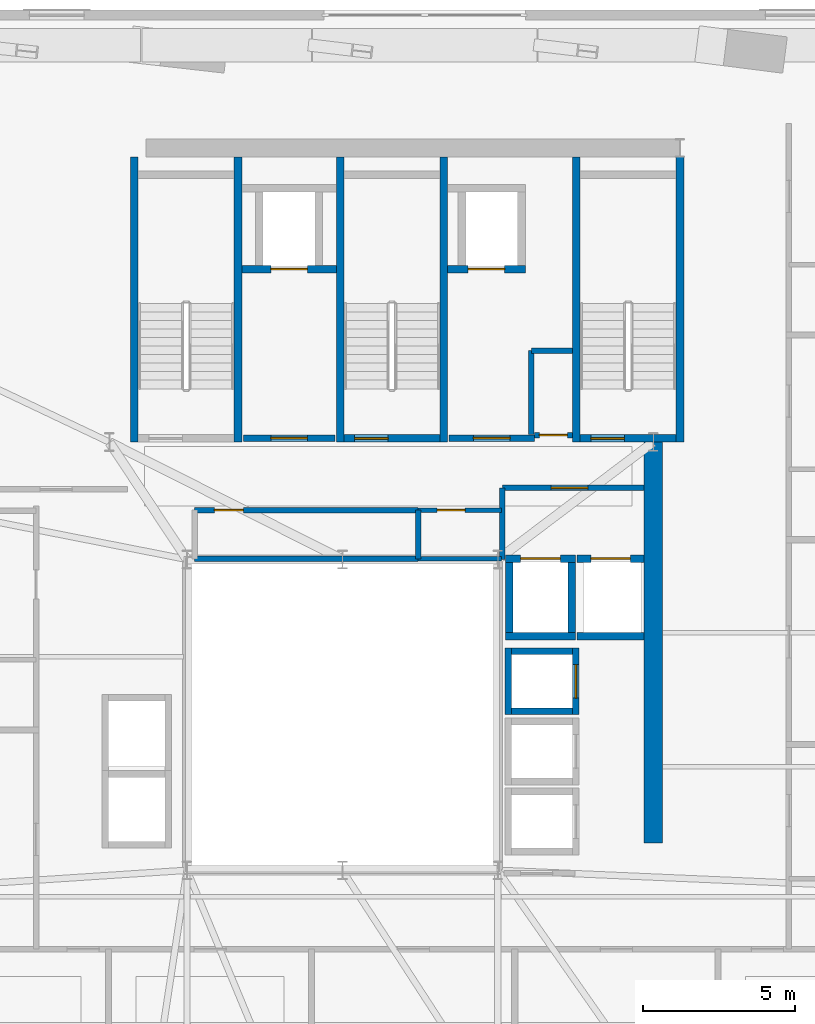
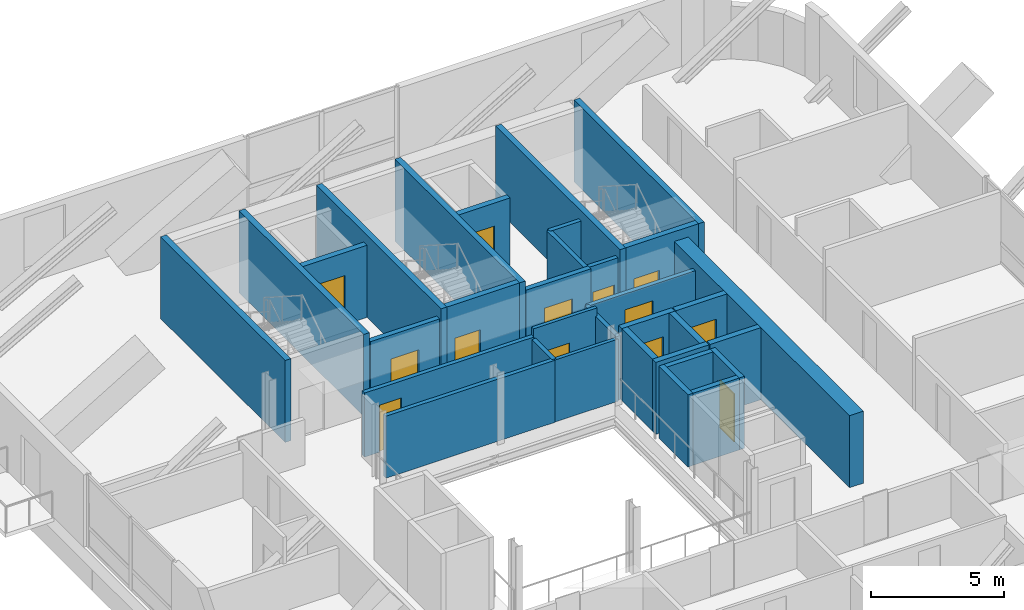
# One storey, part 7 of 12: 33 walls, 13 doors, 13 openings.
"""IFC4 building model written with IfcOpenShell, lengths in metres."""

from ifc_helpers import new_model, si_unit, direction, frame, frame_2d, origin, place, context, subcontext, project, spatial, rectangle, extrude, source, transform, mapped, material, layer, layer_set, type_object, element, fill, save


model = new_model("IFC4")

# Units and contexts
model_context = context("Model", 3, precision=1e-05, world=origin(), true_north=direction((0.0, 1.0)))
body_context = subcontext(model_context, "Body", "Model", "MODEL_VIEW")
ifc_project = project(units=[si_unit("LENGTHUNIT", "METRE"), si_unit("AREAUNIT", "SQUARE_METRE"), si_unit("VOLUMEUNIT", "CUBIC_METRE"), si_unit("PLANEANGLEUNIT", "RADIAN"), si_unit("MASSUNIT", "GRAM", prefix="KILO")], contexts=[model_context])

# Site, building, storey
site_placement = place(None, origin())
site = spatial("IfcSite", under=ifc_project, at=site_placement, CompositionType="ELEMENT")
building_placement = place(site_placement, origin())
building = spatial("IfcBuilding", under=site, at=building_placement, Name="Vardaveli Station Tower", CompositionType="ELEMENT")
storey_placement = place(building_placement, frame((0.0, 0.0, 282.199951171875)))
storey = spatial("IfcBuildingStorey", under=building, at=storey_placement, Name="L72", CompositionType="ELEMENT", Elevation=282.199951171875)

# Walls
ifc_material_1 = material(Name="Concrete C50/60", Category="concrete")
ifc_layer_1 = layer(ifc_material_1, 0.60009765625, Name="Concrete C50/60")
ifc_layer_set_1 = layer_set([ifc_layer_1], Name="Concrete C50/60")
wall_type_1 = type_object("IfcWallType", Name="WAL-CORE-600", PredefinedType="SHEAR", material=ifc_layer_set_1)
shared_shape_1 = source(origin(), body_context, "Body", "SweptSolid", [
    extrude(rectangle(XDim=13.14990234375, YDim=0.60009765625, at=frame_2d((6.574951171875, 0.0))), origin(), (0.0, 0.0, 1.0), 3.300048828125),
])
wall_1_placement = place(storey_placement, frame((46.5, 17.5, 0.0), z_axis=(0.0, 0.0, 1.0), x_axis=(0.0, 1.0, 0.0)))
element("IfcWall", 1, at=wall_1_placement, inside=storey, type_object=wall_type_1, Name="SW-L72-EAST2", PredefinedType="SHEAR", context=body_context, shape_type="MappedRepresentation", body=[
    mapped(shared_shape_1, transform((0.0, 0.0, 0.0), scale=1.0)),
])
ifc_material_2 = material(Name="Concrete C40/50", Category="concrete")
ifc_layer_2 = layer(ifc_material_2, 0.25, Name="Concrete C40/50")
ifc_layer_set_2 = layer_set([ifc_layer_2], Name="Concrete C40/50")
wall_type_2 = type_object("IfcWallType", Name="WAL-SHAFT-250", PredefinedType="SOLIDWALL", material=ifc_layer_set_2)
shared_shape_2 = source(origin(), body_context, "Body", "SweptSolid", [
    extrude(rectangle(XDim=9.35009765625, YDim=0.25, at=frame_2d((4.675048828125, 0.0))), origin(), (0.0, 0.0, 1.0), 3.75),
])
for number, where, z_axis, x_axis, name in (
    (2, (29.47509765625, 30.64990234375, 0.0), (0.0, 0.0, 1.0), (0.0, 1.0, 0.0), "W-L72-ST-1W"),
    (3, (32.875, 30.64990234375, 0.0), (0.0, 0.0, 1.0), (0.0, 1.0, 0.0), "W-L72-ST-1E"),
    (4, (36.22509765625, 30.64990234375, 0.0), (0.0, 0.0, 1.0), (0.0, 1.0, 0.0), "W-L72-ST-2W"),
    (5, (39.625, 30.64990234375, 0.0), (0.0, 0.0, 1.0), (0.0, 1.0, 0.0), "W-L72-ST-2E"),
    (6, (43.97509765625, 30.64990234375, 0.0), (0.0, 0.0, 1.0), (0.0, 1.0, 0.0), "W-L72-ST-3W"),
    (7, (47.375, 30.64990234375, 0.0), (0.0, 0.0, 1.0), (0.0, 1.0, 0.0), "W-L72-ST-3E"),
):
    element("IfcWall", number, at=place(storey_placement, frame(where, z_axis=z_axis, x_axis=x_axis)), inside=storey, type_object=wall_type_2, Name=name, PredefinedType="SOLIDWALL", context=body_context, shape_type="MappedRepresentation", body=[
        mapped(shared_shape_2, transform((0.0, 0.0, 0.0), scale=1.0)),
    ])

# Wall, opening, door
shared_shape_3 = source(origin(), body_context, "Body", "SweptSolid", [
    extrude(rectangle(XDim=3.14990234375, YDim=0.25, at=frame_2d((1.574951171875, 0.0))), origin(), (0.0, 0.0, 1.0), 3.75),
])
wall_2_placement = place(storey_placement, frame((36.35009765625, 30.77490234375, 0.0), z_axis=(0.0, 0.0, 1.0), x_axis=(1.0, 0.0, 0.0)))
wall_2 = element("IfcWall", 8, at=wall_2_placement, inside=storey, type_object=wall_type_2, Name="W-L72-ST-2S", PredefinedType="SOLIDWALL", context=body_context, shape_type="MappedRepresentation", body=[
    mapped(shared_shape_3, transform((0.0, 0.0, 0.0), scale=1.0)),
])
shared_shape_4 = source(origin(), body_context, "Body", "SweptSolid", [
    extrude(rectangle(XDim=1.10009765625, YDim=2.199951171875, at=frame_2d((0.550048828125, 1.10009765625))), frame((0.0, 0.135009765625, 0.0), z_axis=(0.0, -1.0, 0.0), x_axis=(1.0, 0.0, 0.0)), (0.0, 0.0, 1.0), 0.27001953125),
])
opening_1_placement = place(wall_2_placement, frame((0.35009765625, 0.0, 0.0)))
opening_1 = element("IfcOpeningElement", 9, at=opening_1_placement, cuts=wall_2, Name="Opening D-04", PredefinedType="OPENING", context=body_context, shape_type="MappedRepresentation", body=[
    mapped(shared_shape_4, transform((0.0, 0.0, 0.0), scale=1.0)),
])
ifc_material_3 = material(Name="Steel smokeproof fire doorset", Category="steel")
door_type_1 = type_object("IfcDoorType", Name="DR-ST-1100x2200", OperationType="NOTDEFINED", PredefinedType="DOOR", material=ifc_material_3)
shared_shape_5 = source(origin(), body_context, "Body", "SweptSolid", [
    extrude(rectangle(XDim=1.10009765625, YDim=2.199951171875, at=frame_2d((0.550048828125, 1.10009765625))), frame((0.0, 0.02490234375, 0.0), z_axis=(0.0, -1.0, 0.0), x_axis=(1.0, 0.0, 0.0)), (0.0, 0.0, 1.0), 0.050048828125),
])
door_1_placement = place(opening_1_placement, origin())
door_1 = element("IfcDoor", 10, at=door_1_placement, inside=storey, type_object=door_type_1, Name="DST-2-L72", OperationType="SINGLE_SWING_LEFT", OverallHeight=2.199951171875, OverallWidth=1.10009765625, PredefinedType="DOOR", context=body_context, shape_type="MappedRepresentation", body=[
    mapped(shared_shape_5, transform((0.0, 0.0, 0.0), scale=1.0)),
])
fill(opening_1, door_1)

wall_3_placement = place(storey_placement, frame((44.10009765625, 30.77490234375, 0.0), z_axis=(0.0, 0.0, 1.0), x_axis=(1.0, 0.0, 0.0)))
wall_3 = element("IfcWall", 11, at=wall_3_placement, inside=storey, type_object=wall_type_2, Name="W-L72-ST-3S", PredefinedType="SOLIDWALL", context=body_context, shape_type="MappedRepresentation", body=[
    mapped(shared_shape_3, transform((0.0, 0.0, 0.0), scale=1.0)),
])
opening_2_placement = place(wall_3_placement, frame((0.35009765625, 0.0, 0.0)))
opening_2 = element("IfcOpeningElement", 12, at=opening_2_placement, cuts=wall_3, Name="Opening D-04", PredefinedType="OPENING", context=body_context, shape_type="MappedRepresentation", body=[
    mapped(shared_shape_4, transform((0.0, 0.0, 0.0), scale=1.0)),
])
door_2_placement = place(opening_2_placement, origin())
door_2 = element("IfcDoor", 13, at=door_2_placement, inside=storey, type_object=door_type_1, Name="DST-3-L72", OperationType="SINGLE_SWING_LEFT", OverallHeight=2.199951171875, OverallWidth=1.10009765625, PredefinedType="DOOR", context=body_context, shape_type="MappedRepresentation", body=[
    mapped(shared_shape_5, transform((0.0, 0.0, 0.0), scale=1.0)),
])
fill(opening_2, door_2)

ifc_layer_3 = layer(ifc_material_2, 0.219970703125, Name="Concrete C40/50")
ifc_layer_set_3 = layer_set([ifc_layer_3], Name="Concrete C40/50")
wall_type_3 = type_object("IfcWallType", Name="WAL-FFLOBBY-220", PredefinedType="SOLIDWALL", material=ifc_layer_set_3)
shared_shape_6 = source(origin(), body_context, "Body", "SweptSolid", [
    extrude(rectangle(XDim=3.0, YDim=0.219970703125, at=frame_2d((1.5, 0.0))), origin(), (0.0, 0.0, 1.0), 3.300048828125),
])
wall_4_placement = place(storey_placement, frame((33.050048828125, 30.780029296875, 0.0), z_axis=(0.0, 0.0, 1.0), x_axis=(1.0, 0.0, 0.0)))
wall_4 = element("IfcWall", 14, at=wall_4_placement, inside=storey, type_object=wall_type_3, Name="W-L72-FFL1S", PredefinedType="SOLIDWALL", context=body_context, shape_type="MappedRepresentation", body=[
    mapped(shared_shape_6, transform((0.0, 0.0, 0.0), scale=1.0)),
])
shared_shape_7 = source(origin(), body_context, "Body", "SweptSolid", [
    extrude(rectangle(XDim=1.199951171875, YDim=2.199951171875, at=frame_2d((0.60009765625, 1.10009765625))), frame((0.0, 0.1201171875, 0.0), z_axis=(0.0, -1.0, 0.0), x_axis=(1.0, 0.0, 0.0)), (0.0, 0.0, 1.0), 0.239990234375),
])
opening_3_placement = place(wall_4_placement, frame((0.89990234375, 0.0, 0.0)))
opening_3 = element("IfcOpeningElement", 15, at=opening_3_placement, cuts=wall_4, Name="Opening D-03", PredefinedType="OPENING", context=body_context, shape_type="MappedRepresentation", body=[
    mapped(shared_shape_7, transform((0.0, 0.0, 0.0), scale=1.0)),
])
door_type_2 = type_object("IfcDoorType", Name="DR-FFL-1200x2200", OperationType="NOTDEFINED", PredefinedType="DOOR", material=ifc_material_3)
shared_shape_8 = source(origin(), body_context, "Body", "SweptSolid", [
    extrude(rectangle(XDim=1.199951171875, YDim=2.199951171875, at=frame_2d((0.60009765625, 1.10009765625))), frame((0.0, 0.02490234375, 0.0), z_axis=(0.0, -1.0, 0.0), x_axis=(1.0, 0.0, 0.0)), (0.0, 0.0, 1.0), 0.050048828125),
])
door_3_placement = place(opening_3_placement, origin())
door_3 = element("IfcDoor", 16, at=door_3_placement, inside=storey, type_object=door_type_2, Name="DFFL1-L72", OperationType="SINGLE_SWING_LEFT", OverallHeight=2.199951171875, OverallWidth=1.199951171875, PredefinedType="DOOR", context=body_context, shape_type="MappedRepresentation", body=[
    mapped(shared_shape_8, transform((0.0, 0.0, 0.0), scale=1.0)),
])
fill(opening_3, door_3)

shared_shape_9 = source(origin(), body_context, "Body", "SweptSolid", [
    extrude(rectangle(XDim=2.800048828125, YDim=0.219970703125, at=frame_2d((1.39990234375, 0.0))), origin(), (0.0, 0.0, 1.0), 3.300048828125),
])
wall_5_placement = place(storey_placement, frame((39.800048828125, 30.780029296875, 0.0), z_axis=(0.0, 0.0, 1.0), x_axis=(1.0, 0.0, 0.0)))
wall_5 = element("IfcWall", 17, at=wall_5_placement, inside=storey, type_object=wall_type_3, Name="W-L72-FFL2S", PredefinedType="SOLIDWALL", context=body_context, shape_type="MappedRepresentation", body=[
    mapped(shared_shape_9, transform((0.0, 0.0, 0.0), scale=1.0)),
])
opening_4_placement = place(wall_5_placement, frame((0.800048828125, 0.0, 0.0)))
opening_4 = element("IfcOpeningElement", 18, at=opening_4_placement, cuts=wall_5, Name="Opening D-03", PredefinedType="OPENING", context=body_context, shape_type="MappedRepresentation", body=[
    mapped(shared_shape_7, transform((0.0, 0.0, 0.0), scale=1.0)),
])
door_4_placement = place(opening_4_placement, origin())
door_4 = element("IfcDoor", 19, at=door_4_placement, inside=storey, type_object=door_type_2, Name="DFFL2-L72", OperationType="SINGLE_SWING_RIGHT", OverallHeight=2.199951171875, OverallWidth=1.199951171875, PredefinedType="DOOR", context=body_context, shape_type="MappedRepresentation", body=[
    mapped(shared_shape_8, transform((0.0, 0.0, 0.0), scale=1.0)),
])
fill(opening_4, door_4)

shared_shape_10 = source(origin(), body_context, "Body", "SweptSolid", [
    extrude(rectangle(XDim=3.10009765625, YDim=0.25, at=frame_2d((1.550048828125, 0.0))), origin(), (0.0, 0.0, 1.0), 3.300048828125),
])
wall_6_placement = place(storey_placement, frame((33.0, 36.324951171875, 0.0), z_axis=(0.0, 0.0, 1.0), x_axis=(1.0, 0.0, 0.0)))
wall_6 = element("IfcWall", 20, at=wall_6_placement, inside=storey, type_object=wall_type_2, Name="SHW-FFL-01-L72-S", PredefinedType="SOLIDWALL", context=body_context, shape_type="MappedRepresentation", body=[
    mapped(shared_shape_10, transform((0.0, 0.0, 0.0), scale=1.0)),
])
shared_shape_11 = source(origin(), body_context, "Body", "SweptSolid", [
    extrude(rectangle(XDim=1.199951171875, YDim=2.25, at=frame_2d((0.60009765625, 1.125))), frame((0.0, 0.135009765625, 0.0), z_axis=(0.0, -1.0, 0.0), x_axis=(1.0, 0.0, 0.0)), (0.0, 0.0, 1.0), 0.27001953125),
])
opening_5_placement = place(wall_6_placement, frame((0.949951171875, 0.0, 0.0)))
opening_5 = element("IfcOpeningElement", 21, at=opening_5_placement, cuts=wall_6, Name="Opening LD-02", PredefinedType="OPENING", context=body_context, shape_type="MappedRepresentation", body=[
    mapped(shared_shape_11, transform((0.0, 0.0, 0.0), scale=1.0)),
])
ifc_material_4 = material(Name="Brushed stainless steel", Category="steel")
door_type_3 = type_object("IfcDoorType", Name="DR-LD-1200x2250", OperationType="DOUBLE_DOOR_SLIDING", PredefinedType="DOOR", material=ifc_material_4)
shared_shape_12 = source(origin(), body_context, "Body", "SweptSolid", [
    extrude(rectangle(XDim=1.199951171875, YDim=2.25, at=frame_2d((0.60009765625, 1.125))), frame((0.0, 0.02490234375, 0.0), z_axis=(0.0, -1.0, 0.0), x_axis=(1.0, 0.0, 0.0)), (0.0, 0.0, 1.0), 0.050048828125),
])
door_5_placement = place(opening_5_placement, origin())
door_5 = element("IfcDoor", 22, at=door_5_placement, inside=storey, type_object=door_type_3, Name="LD-FFL-01-L72", OperationType="DOUBLE_DOOR_SLIDING", OverallHeight=2.25, OverallWidth=1.199951171875, PredefinedType="DOOR", context=body_context, shape_type="MappedRepresentation", body=[
    mapped(shared_shape_12, transform((0.0, 0.0, 0.0), scale=1.0)),
])
fill(opening_5, door_5)

shared_shape_13 = source(origin(), body_context, "Body", "SweptSolid", [
    extrude(rectangle(XDim=2.550048828125, YDim=0.25, at=frame_2d((1.27490234375, 0.0))), origin(), (0.0, 0.0, 1.0), 3.300048828125),
])
wall_7_placement = place(storey_placement, frame((39.75, 36.324951171875, 0.0), z_axis=(0.0, 0.0, 1.0), x_axis=(1.0, 0.0, 0.0)))
wall_7 = element("IfcWall", 23, at=wall_7_placement, inside=storey, type_object=wall_type_2, Name="SHW-FFL-02-L72-S", PredefinedType="SOLIDWALL", context=body_context, shape_type="MappedRepresentation", body=[
    mapped(shared_shape_13, transform((0.0, 0.0, 0.0), scale=1.0)),
])
opening_6_placement = place(wall_7_placement, frame((0.675048828125, 0.0, 0.0)))
opening_6 = element("IfcOpeningElement", 24, at=opening_6_placement, cuts=wall_7, Name="Opening LD-02", PredefinedType="OPENING", context=body_context, shape_type="MappedRepresentation", body=[
    mapped(shared_shape_11, transform((0.0, 0.0, 0.0), scale=1.0)),
])
door_6_placement = place(opening_6_placement, origin())
door_6 = element("IfcDoor", 25, at=door_6_placement, inside=storey, type_object=door_type_3, Name="LD-FFL-02-L72", OperationType="DOUBLE_DOOR_SLIDING", OverallHeight=2.25, OverallWidth=1.199951171875, PredefinedType="DOOR", context=body_context, shape_type="MappedRepresentation", body=[
    mapped(shared_shape_12, transform((0.0, 0.0, 0.0), scale=1.0)),
])
fill(opening_6, door_6)

# Walls
shared_shape_14 = source(origin(), body_context, "Body", "SweptSolid", [
    extrude(rectangle(XDim=2.0, YDim=0.219970703125, at=frame_2d((1.0, 0.0))), origin(), (0.0, 0.0, 1.0), 3.300048828125),
])
for number, where, z_axis, x_axis, name in (
    (26, (41.85009765625, 21.81494140625, 0.0), (0.0, 0.0, 1.0), (1.0, 0.0, 0.0), "SHW-HL3-01-L72-S"),
    (27, (41.85009765625, 23.784912109375, 0.0), (0.0, 0.0, 1.0), (1.0, 0.0, 0.0), "SHW-HL3-01-L72-N"),
):
    element("IfcWall", number, at=place(storey_placement, frame(where, z_axis=z_axis, x_axis=x_axis)), inside=storey, type_object=wall_type_3, Name=name, PredefinedType="SOLIDWALL", context=body_context, shape_type="MappedRepresentation", body=[
        mapped(shared_shape_14, transform((0.0, 0.0, 0.0), scale=1.0)),
    ])
shared_shape_15 = source(origin(), body_context, "Body", "SweptSolid", [
    extrude(rectangle(XDim=2.18994140625, YDim=0.219970703125, at=frame_2d((1.094970703125, 0.0))), origin(), (0.0, 0.0, 1.0), 3.300048828125),
])
wall_8_placement = place(storey_placement, frame((41.739990234375, 21.705078125, 0.0), z_axis=(0.0, 0.0, 1.0), x_axis=(0.0, 1.0, 0.0)))
element("IfcWall", 28, at=wall_8_placement, inside=storey, type_object=wall_type_3, Name="SHW-HL3-01-L72-W", PredefinedType="SOLIDWALL", context=body_context, shape_type="MappedRepresentation", body=[
    mapped(shared_shape_15, transform((0.0, 0.0, 0.0), scale=1.0)),
])

# Wall, opening, door
wall_9_placement = place(storey_placement, frame((43.9599609375, 21.705078125, 0.0), z_axis=(0.0, 0.0, 1.0), x_axis=(0.0, 1.0, 0.0)))
wall_9 = element("IfcWall", 29, at=wall_9_placement, inside=storey, type_object=wall_type_3, Name="SHW-HL3-01-L72-E", PredefinedType="SOLIDWALL", context=body_context, shape_type="MappedRepresentation", body=[
    mapped(shared_shape_15, transform((0.0, 0.0, 0.0), scale=1.0)),
])
shared_shape_16 = source(origin(), body_context, "Body", "SweptSolid", [
    extrude(rectangle(XDim=1.10009765625, YDim=2.199951171875, at=frame_2d((0.550048828125, 1.10009765625))), frame((0.0, 0.1201171875, 0.0), z_axis=(0.0, -1.0, 0.0), x_axis=(1.0, 0.0, 0.0)), (0.0, 0.0, 1.0), 0.239990234375),
])
opening_7_placement = place(wall_9_placement, frame((0.544921875, 0.0, 0.0)))
opening_7 = element("IfcOpeningElement", 30, at=opening_7_placement, cuts=wall_9, Name="Opening LD-01", PredefinedType="OPENING", context=body_context, shape_type="MappedRepresentation", body=[
    mapped(shared_shape_16, transform((0.0, 0.0, 0.0), scale=1.0)),
])
door_type_4 = type_object("IfcDoorType", Name="DR-LD-1100x2200", OperationType="DOUBLE_DOOR_SLIDING", PredefinedType="DOOR", material=ifc_material_4)
door_7_placement = place(opening_7_placement, origin())
door_7 = element("IfcDoor", 31, at=door_7_placement, inside=storey, type_object=door_type_4, Name="LD-HL3-01-L72", OperationType="DOUBLE_DOOR_SLIDING", OverallHeight=2.199951171875, OverallWidth=1.10009765625, PredefinedType="DOOR", context=body_context, shape_type="MappedRepresentation", body=[
    mapped(shared_shape_5, transform((0.0, 0.0, 0.0), scale=1.0)),
])
fill(opening_7, door_7)

# Wall
shared_shape_17 = source(origin(), body_context, "Body", "SweptSolid", [
    extrude(rectangle(XDim=2.300048828125, YDim=0.25, at=frame_2d((1.14990234375, 0.0))), origin(), (0.0, 0.0, 1.0), 3.300048828125),
])
wall_10_placement = place(storey_placement, frame((41.64990234375, 24.27490234375, 0.0), z_axis=(0.0, 0.0, 1.0), x_axis=(1.0, 0.0, 0.0)))
element("IfcWall", 32, at=wall_10_placement, inside=storey, type_object=wall_type_2, Name="SHW-SRV-01-L72-S", PredefinedType="SOLIDWALL", context=body_context, shape_type="MappedRepresentation", body=[
    mapped(shared_shape_17, transform((0.0, 0.0, 0.0), scale=1.0)),
])

# Wall, opening, door
wall_11_placement = place(storey_placement, frame((41.64990234375, 26.824951171875, 0.0), z_axis=(0.0, 0.0, 1.0), x_axis=(1.0, 0.0, 0.0)))
wall_11 = element("IfcWall", 33, at=wall_11_placement, inside=storey, type_object=wall_type_2, Name="SHW-SRV-01-L72-N", PredefinedType="SOLIDWALL", context=body_context, shape_type="MappedRepresentation", body=[
    mapped(shared_shape_17, transform((0.0, 0.0, 0.0), scale=1.0)),
])
shared_shape_18 = source(origin(), body_context, "Body", "SweptSolid", [
    extrude(rectangle(XDim=1.300048828125, YDim=2.300048828125, at=frame_2d((0.64990234375, 1.14990234375))), frame((0.0, 0.135009765625, 0.0), z_axis=(0.0, -1.0, 0.0), x_axis=(1.0, 0.0, 0.0)), (0.0, 0.0, 1.0), 0.27001953125),
])
opening_8_placement = place(wall_11_placement, frame((0.5, 0.0, 0.0)))
opening_8 = element("IfcOpeningElement", 34, at=opening_8_placement, cuts=wall_11, Name="Opening LD-03", PredefinedType="OPENING", context=body_context, shape_type="MappedRepresentation", body=[
    mapped(shared_shape_18, transform((0.0, 0.0, 0.0), scale=1.0)),
])
door_type_5 = type_object("IfcDoorType", Name="DR-LD-1300x2300", OperationType="DOUBLE_DOOR_SLIDING", PredefinedType="DOOR", material=ifc_material_4)
shared_shape_19 = source(origin(), body_context, "Body", "SweptSolid", [
    extrude(rectangle(XDim=1.300048828125, YDim=2.300048828125, at=frame_2d((0.64990234375, 1.14990234375))), frame((0.0, 0.02490234375, 0.0), z_axis=(0.0, -1.0, 0.0), x_axis=(1.0, 0.0, 0.0)), (0.0, 0.0, 1.0), 0.050048828125),
])
door_8_placement = place(opening_8_placement, origin())
door_8 = element("IfcDoor", 35, at=door_8_placement, inside=storey, type_object=door_type_5, Name="LD-SRV-01-L72", OperationType="DOUBLE_DOOR_SLIDING", OverallHeight=2.300048828125, OverallWidth=1.300048828125, PredefinedType="DOOR", context=body_context, shape_type="MappedRepresentation", body=[
    mapped(shared_shape_19, transform((0.0, 0.0, 0.0), scale=1.0)),
])
fill(opening_8, door_8)

# Walls
for number, where, z_axis, x_axis, name in (
    (36, (41.77490234375, 24.39990234375, 0.0), (0.0, 0.0, 1.0), (0.0, 1.0, 0.0), "SHW-SRV-01-L72-W"),
    (37, (43.824951171875, 24.39990234375, 0.0), (0.0, 0.0, 1.0), (0.0, 1.0, 0.0), "SHW-SRV-01-L72-E"),
):
    element("IfcWall", number, at=place(storey_placement, frame(where, z_axis=z_axis, x_axis=x_axis)), inside=storey, type_object=wall_type_2, Name=name, PredefinedType="SOLIDWALL", context=body_context, shape_type="MappedRepresentation", body=[
        mapped(shared_shape_17, transform((0.0, 0.0, 0.0), scale=1.0)),
    ])
shared_shape_20 = source(origin(), body_context, "Body", "SweptSolid", [
    extrude(rectangle(XDim=2.199951171875, YDim=0.25, at=frame_2d((1.10009765625, 0.0))), origin(), (0.0, 0.0, 1.0), 3.300048828125),
])
wall_12_placement = place(storey_placement, frame((44.0, 24.27490234375, 0.0), z_axis=(0.0, 0.0, 1.0), x_axis=(1.0, 0.0, 0.0)))
element("IfcWall", 38, at=wall_12_placement, inside=storey, type_object=wall_type_2, Name="SHW-SRV-02-L72-S", PredefinedType="SOLIDWALL", context=body_context, shape_type="MappedRepresentation", body=[
    mapped(shared_shape_20, transform((0.0, 0.0, 0.0), scale=1.0)),
])

# Wall, opening, door
wall_13_placement = place(storey_placement, frame((44.0, 26.824951171875, 0.0), z_axis=(0.0, 0.0, 1.0), x_axis=(1.0, 0.0, 0.0)))
wall_13 = element("IfcWall", 39, at=wall_13_placement, inside=storey, type_object=wall_type_2, Name="SHW-SRV-02-L72-N", PredefinedType="SOLIDWALL", context=body_context, shape_type="MappedRepresentation", body=[
    mapped(shared_shape_20, transform((0.0, 0.0, 0.0), scale=1.0)),
])
opening_9_placement = place(wall_13_placement, frame((0.449951171875, 0.0, 0.0)))
opening_9 = element("IfcOpeningElement", 40, at=opening_9_placement, cuts=wall_13, Name="Opening LD-03", PredefinedType="OPENING", context=body_context, shape_type="MappedRepresentation", body=[
    mapped(shared_shape_18, transform((0.0, 0.0, 0.0), scale=1.0)),
])
door_9_placement = place(opening_9_placement, origin())
door_9 = element("IfcDoor", 41, at=door_9_placement, inside=storey, type_object=door_type_5, Name="LD-SRV-02-L72", OperationType="DOUBLE_DOOR_SLIDING", OverallHeight=2.300048828125, OverallWidth=1.300048828125, PredefinedType="DOOR", context=body_context, shape_type="MappedRepresentation", body=[
    mapped(shared_shape_19, transform((0.0, 0.0, 0.0), scale=1.0)),
])
fill(opening_9, door_9)

ifc_material_5 = material(Name="Fire-rated gypsum stud partition")
ifc_layer_4 = layer(ifc_material_5, 0.179931640625, Name="Fire-rated gypsum stud partition")
ifc_layer_set_4 = layer_set([ifc_layer_4], Name="Fire-rated gypsum stud partition")
wall_type_4 = type_object("IfcWallType", Name="WAL-CORR-180", PredefinedType="PARTITIONING", material=ifc_layer_set_4)
shared_shape_21 = source(origin(), body_context, "Body", "SweptSolid", [
    extrude(rectangle(XDim=1.247802734375, YDim=0.179931640625, at=frame_2d((0.6240234375, 0.0))), origin(), (0.0, 0.0, 1.0), 3.300048828125),
])
wall_14_placement = place(storey_placement, frame((42.60009765625, 30.8798828125, 0.0), z_axis=(0.0, 0.0, 1.0), x_axis=(1.0, 0.0, 0.0)))
wall_14 = element("IfcWall", 42, at=wall_14_placement, inside=storey, type_object=wall_type_4, Name="W-L72-CBS0-S", PredefinedType="PARTITIONING", context=body_context, shape_type="MappedRepresentation", body=[
    mapped(shared_shape_21, transform((0.0, 0.0, 0.0), scale=1.0)),
])
shared_shape_22 = source(origin(), body_context, "Body", "SweptSolid", [
    extrude(rectangle(XDim=0.919921875, YDim=2.10009765625, at=frame_2d((0.4599609375, 1.050048828125))), frame((0.0, 0.10009765625, 0.0), z_axis=(0.0, -1.0, 0.0), x_axis=(1.0, 0.0, 0.0)), (0.0, 0.0, 1.0), 0.199951171875),
])
opening_10_placement = place(wall_14_placement, frame((0.1640625, 0.0, 0.0)))
opening_10 = element("IfcOpeningElement", 43, at=opening_10_placement, cuts=wall_14, Name="Opening D-07", PredefinedType="OPENING", context=body_context, shape_type="MappedRepresentation", body=[
    mapped(shared_shape_22, transform((0.0, 0.0, 0.0), scale=1.0)),
])
ifc_material_6 = material(Name="Moisture-resistant hardwood door", Category="wood")
door_type_6 = type_object("IfcDoorType", Name="DR-WC-920x2100", OperationType="NOTDEFINED", PredefinedType="DOOR", material=ifc_material_6)
shared_shape_23 = source(origin(), body_context, "Body", "SweptSolid", [
    extrude(rectangle(XDim=0.919921875, YDim=2.10009765625, at=frame_2d((0.4599609375, 1.050048828125))), frame((0.0, 0.02490234375, 0.0), z_axis=(0.0, -1.0, 0.0), x_axis=(1.0, 0.0, 0.0)), (0.0, 0.0, 1.0), 0.050048828125),
])
door_10_placement = place(opening_10_placement, origin())
door_10 = element("IfcDoor", 44, at=door_10_placement, inside=storey, type_object=door_type_6, Name="D-L72-CBS0", OperationType="SINGLE_SWING_LEFT", OverallHeight=2.10009765625, OverallWidth=0.919921875, PredefinedType="DOOR", context=body_context, shape_type="MappedRepresentation", body=[
    mapped(shared_shape_23, transform((0.0, 0.0, 0.0), scale=1.0)),
])
fill(opening_10, door_10)

# Walls
shared_shape_24 = source(origin(), body_context, "Body", "SweptSolid", [
    extrude(rectangle(XDim=1.599853515625, YDim=0.179931640625, at=frame_2d((0.7998046875, 0.0))), origin(), (0.0, 0.0, 1.0), 2.842041015625),
])
wall_15_placement = place(storey_placement, frame((38.780029296875, 26.820068359375, 0.0), z_axis=(0.0, 0.0, 1.0), x_axis=(0.0, 1.0, 0.0)))
element("IfcWall", 45, at=wall_15_placement, inside=storey, type_object=wall_type_4, Name="W-L72-HKP0-E", PredefinedType="PARTITIONING", context=body_context, shape_type="MappedRepresentation", body=[
    mapped(shared_shape_24, transform((0.0, 0.0, 0.0), scale=1.0)),
])
shared_shape_25 = source(origin(), body_context, "Body", "SweptSolid", [
    extrude(rectangle(XDim=1.347900390625, YDim=0.179931640625, at=frame_2d((0.673828125, 0.0))), origin(), (0.0, 0.0, 1.0), 3.300048828125),
])
wall_16_placement = place(storey_placement, frame((42.5, 33.64990234375, 0.0), z_axis=(0.0, 0.0, 1.0), x_axis=(1.0, 0.0, 0.0)))
element("IfcWall", 46, at=wall_16_placement, inside=storey, type_object=wall_type_4, Name="W-L72-CBS0-N", PredefinedType="PARTITIONING", context=body_context, shape_type="MappedRepresentation", body=[
    mapped(shared_shape_25, transform((0.0, 0.0, 0.0), scale=1.0)),
])

# Wall, opening, door
shared_shape_26 = source(origin(), body_context, "Body", "SweptSolid", [
    extrude(rectangle(XDim=7.330078125, YDim=0.179931640625, at=frame_2d((3.6650390625, 0.0))), origin(), (0.0, 0.0, 1.0), 2.93212890625),
])
wall_17_placement = place(storey_placement, frame((31.449951171875, 28.419921875, 0.0), z_axis=(0.0, 0.0, 1.0), x_axis=(1.0, 0.0, 0.0)))
wall_17 = element("IfcWall", 47, at=wall_17_placement, inside=storey, type_object=wall_type_4, Name="W-L72-HKP0-N", PredefinedType="PARTITIONING", context=body_context, shape_type="MappedRepresentation", body=[
    mapped(shared_shape_26, transform((0.0, 0.0, 0.0), scale=1.0)),
])
shared_shape_27 = source(origin(), body_context, "Body", "SweptSolid", [
    extrude(rectangle(XDim=0.949951171875, YDim=2.14990234375, at=frame_2d((0.47509765625, 1.074951171875))), frame((0.0, 0.10009765625, 0.0), z_axis=(0.0, -1.0, 0.0), x_axis=(1.0, 0.0, 0.0)), (0.0, 0.0, 1.0), 0.199951171875),
])
opening_11_placement = place(wall_17_placement, frame((0.64990234375, 0.0, 0.0)))
opening_11 = element("IfcOpeningElement", 48, at=opening_11_placement, cuts=wall_17, Name="Opening D-06", PredefinedType="OPENING", context=body_context, shape_type="MappedRepresentation", body=[
    mapped(shared_shape_27, transform((0.0, 0.0, 0.0), scale=1.0)),
])
ifc_material_7 = material(Name="Oak veneer acoustic fire door")
door_type_7 = type_object("IfcDoorType", Name="DR-GUEST-950x2150", OperationType="NOTDEFINED", PredefinedType="DOOR", material=ifc_material_7)
shared_shape_28 = source(origin(), body_context, "Body", "SweptSolid", [
    extrude(rectangle(XDim=0.949951171875, YDim=2.14990234375, at=frame_2d((0.47509765625, 1.074951171875))), frame((0.0, 0.02490234375, 0.0), z_axis=(0.0, -1.0, 0.0), x_axis=(1.0, 0.0, 0.0)), (0.0, 0.0, 1.0), 0.050048828125),
])
door_11_placement = place(opening_11_placement, origin())
door_11 = element("IfcDoor", 49, at=door_11_placement, inside=storey, type_object=door_type_7, Name="D-L72-HKP", OperationType="SINGLE_SWING_RIGHT", OverallHeight=2.14990234375, OverallWidth=0.949951171875, PredefinedType="DOOR", context=body_context, shape_type="MappedRepresentation", body=[
    mapped(shared_shape_28, transform((0.0, 0.0, 0.0), scale=1.0)),
])
fill(opening_11, door_11)

shared_shape_29 = source(origin(), body_context, "Body", "SweptSolid", [
    extrude(rectangle(XDim=4.64794921875, YDim=0.179931640625, at=frame_2d((2.323974609375, 0.0))), origin(), (0.0, 0.0, 1.0), 2.93212890625),
])
wall_18_placement = place(storey_placement, frame((41.550048828125, 29.14990234375, 0.0), z_axis=(0.0, 0.0, 1.0), x_axis=(1.0, 0.0, 0.0)))
wall_18 = element("IfcWall", 50, at=wall_18_placement, inside=storey, type_object=wall_type_4, Name="W-L72-SVFN", PredefinedType="PARTITIONING", context=body_context, shape_type="MappedRepresentation", body=[
    mapped(shared_shape_29, transform((0.0, 0.0, 0.0), scale=1.0)),
])
shared_shape_30 = source(origin(), body_context, "Body", "SweptSolid", [
    extrude(rectangle(XDim=1.199951171875, YDim=2.199951171875, at=frame_2d((0.60009765625, 1.10009765625))), frame((0.0, 0.10009765625, 0.0), z_axis=(0.0, -1.0, 0.0), x_axis=(1.0, 0.0, 0.0)), (0.0, 0.0, 1.0), 0.199951171875),
])
opening_12_placement = place(wall_18_placement, frame((1.60009765625, 0.0, 0.0)))
opening_12 = element("IfcOpeningElement", 51, at=opening_12_placement, cuts=wall_18, Name="Opening D-03", PredefinedType="OPENING", context=body_context, shape_type="MappedRepresentation", body=[
    mapped(shared_shape_30, transform((0.0, 0.0, 0.0), scale=1.0)),
])
door_12_placement = place(opening_12_placement, origin())
door_12 = element("IfcDoor", 52, at=door_12_placement, inside=storey, type_object=door_type_2, Name="D-L72-SVF", OperationType="SINGLE_SWING_LEFT", OverallHeight=2.199951171875, OverallWidth=1.199951171875, PredefinedType="DOOR", context=body_context, shape_type="MappedRepresentation", body=[
    mapped(shared_shape_8, transform((0.0, 0.0, 0.0), scale=1.0)),
])
fill(opening_12, door_12)

ifc_material_8 = material(Name="Moisture-resistant stud partition")
ifc_layer_5 = layer(ifc_material_8, 0.14990234375, Name="Moisture-resistant stud partition")
ifc_layer_set_5 = layer_set([ifc_layer_5], Name="Moisture-resistant stud partition")
wall_type_5 = type_object("IfcWallType", Name="WAL-WET-150", PredefinedType="PARTITIONING", material=ifc_layer_set_5)
shared_shape_31 = source(origin(), body_context, "Body", "SweptSolid", [
    extrude(rectangle(XDim=2.739990234375, YDim=0.14990234375, at=frame_2d((1.3701171875, 0.0))), origin(), (0.0, 0.0, 1.0), 3.300048828125),
])
wall_19_placement = place(storey_placement, frame((38.780029296875, 28.419921875, 0.0), z_axis=(0.0, 0.0, 1.0), x_axis=(1.0, 0.0, 0.0)))
wall_19 = element("IfcWall", 53, at=wall_19_placement, inside=storey, type_object=wall_type_5, Name="W-L72-WCA0-N", PredefinedType="PARTITIONING", context=body_context, shape_type="MappedRepresentation", body=[
    mapped(shared_shape_31, transform((0.0, 0.0, 0.0), scale=1.0)),
])
shared_shape_32 = source(origin(), body_context, "Body", "SweptSolid", [
    extrude(rectangle(XDim=0.919921875, YDim=2.10009765625, at=frame_2d((0.4599609375, 1.050048828125))), frame((0.0, 0.0849609375, 0.0), z_axis=(0.0, -1.0, 0.0), x_axis=(1.0, 0.0, 0.0)), (0.0, 0.0, 1.0), 0.169921875),
])
opening_13_placement = place(wall_19_placement, frame((0.6298828125, 0.0, 0.0)))
opening_13 = element("IfcOpeningElement", 54, at=opening_13_placement, cuts=wall_19, Name="Opening D-07", PredefinedType="OPENING", context=body_context, shape_type="MappedRepresentation", body=[
    mapped(shared_shape_32, transform((0.0, 0.0, 0.0), scale=1.0)),
])
door_13_placement = place(opening_13_placement, origin())
door_13 = element("IfcDoor", 55, at=door_13_placement, inside=storey, type_object=door_type_6, Name="D-L72-WCA", OperationType="SINGLE_SWING_RIGHT", OverallHeight=2.10009765625, OverallWidth=0.919921875, PredefinedType="DOOR", context=body_context, shape_type="MappedRepresentation", body=[
    mapped(shared_shape_23, transform((0.0, 0.0, 0.0), scale=1.0)),
])
fill(opening_13, door_13)

# Walls
shared_shape_33 = source(origin(), body_context, "Body", "SweptSolid", [
    extrude(rectangle(XDim=7.330078125, YDim=0.179931640625, at=frame_2d((3.6650390625, 0.0))), origin(), (0.0, 0.0, 1.0), 2.842041015625),
])
wall_20_placement = place(storey_placement, frame((31.449951171875, 26.820068359375, 0.0), z_axis=(0.0, 0.0, 1.0), x_axis=(1.0, 0.0, 0.0)))
element("IfcWall", 56, at=wall_20_placement, inside=storey, type_object=wall_type_4, Name="W-L72-HKP0-S", PredefinedType="PARTITIONING", context=body_context, shape_type="MappedRepresentation", body=[
    mapped(shared_shape_33, transform((0.0, 0.0, 0.0), scale=1.0)),
])
shared_shape_34 = source(origin(), body_context, "Body", "SweptSolid", [
    extrude(rectangle(XDim=2.7578125, YDim=0.179931640625, at=frame_2d((1.37890625, 0.0))), origin(), (0.0, 0.0, 1.0), 3.300048828125),
])
wall_21_placement = place(storey_placement, frame((42.5, 30.89208984375, 0.0), z_axis=(0.0, 0.0, 1.0), x_axis=(0.0, 1.0, 0.0)))
element("IfcWall", 57, at=wall_21_placement, inside=storey, type_object=wall_type_4, Name="W-L72-CBS0-W", PredefinedType="PARTITIONING", context=body_context, shape_type="MappedRepresentation", body=[
    mapped(shared_shape_34, transform((0.0, 0.0, 0.0), scale=1.0)),
])
shared_shape_35 = source(origin(), body_context, "Body", "SweptSolid", [
    extrude(rectangle(XDim=2.739990234375, YDim=0.14990234375, at=frame_2d((1.3701171875, 0.0))), origin(), (0.0, 0.0, 1.0), 2.842041015625),
])
wall_22_placement = place(storey_placement, frame((38.780029296875, 26.820068359375, 0.0), z_axis=(0.0, 0.0, 1.0), x_axis=(1.0, 0.0, 0.0)))
element("IfcWall", 58, at=wall_22_placement, inside=storey, type_object=wall_type_5, Name="W-L72-WCA0-S", PredefinedType="PARTITIONING", context=body_context, shape_type="MappedRepresentation", body=[
    mapped(shared_shape_35, transform((0.0, 0.0, 0.0), scale=1.0)),
])
shared_shape_36 = source(origin(), body_context, "Body", "SweptSolid", [
    extrude(rectangle(XDim=2.349853515625, YDim=0.179931640625, at=frame_2d((1.1748046875, 0.0))), origin(), (0.0, 0.0, 1.0), 2.93212890625),
])
wall_23_placement = place(storey_placement, frame((41.550048828125, 26.800048828125, 0.0), z_axis=(0.0, 0.0, 1.0), x_axis=(0.0, 1.0, 0.0)))
element("IfcWall", 59, at=wall_23_placement, inside=storey, type_object=wall_type_4, Name="W-L72-SVFW", PredefinedType="PARTITIONING", context=body_context, shape_type="MappedRepresentation", body=[
    mapped(shared_shape_36, transform((0.0, 0.0, 0.0), scale=1.0)),
])

save(model, "model.ifc")
